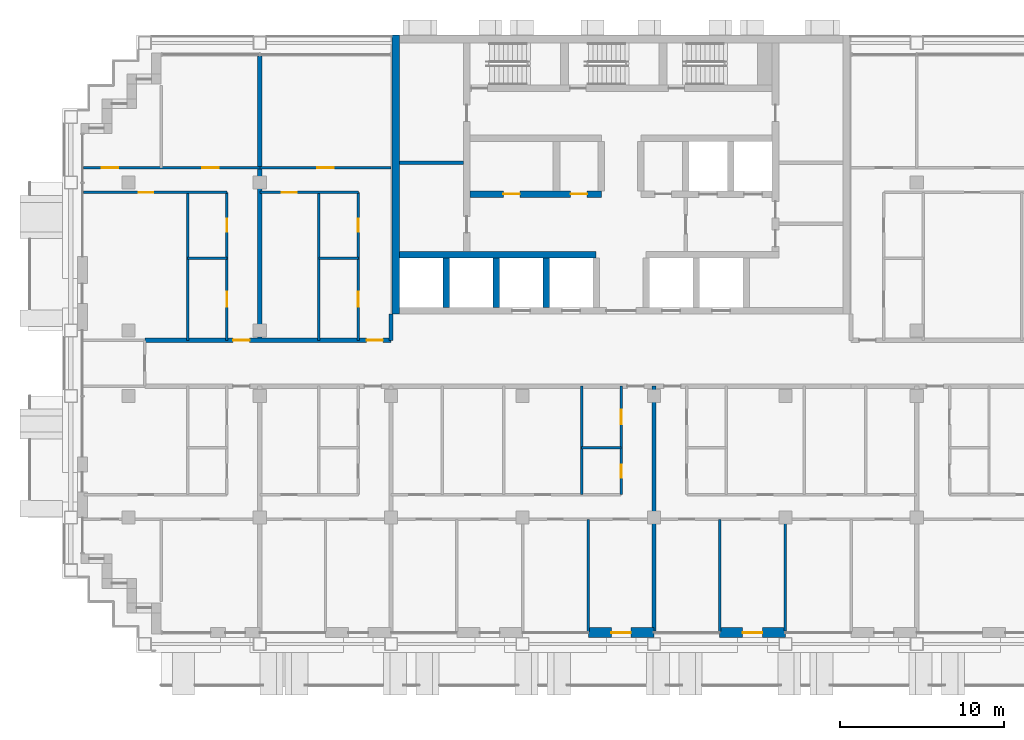
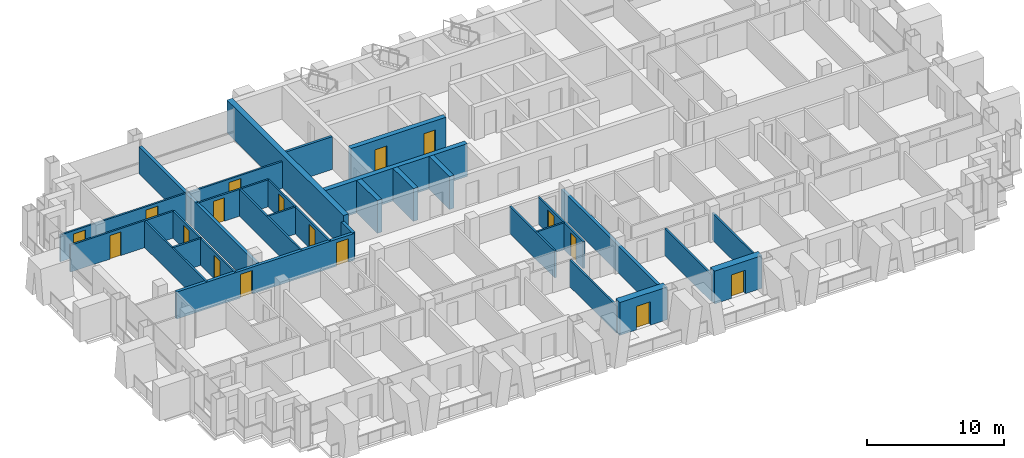
# One storey, part 9 of 18: 29 walls, 17 doors, 17 openings.
"""IFC4 building model written with IfcOpenShell, lengths in metres."""

import ifcopenshell
import ifcopenshell.guid

model = None  # the IFC model being written
_history = None  # IfcOwnerHistory: only IFC2X3 demands one
_inside = {}  # id of a spatial element -> (the spatial element, [elements in it])
_under = {}  # id of a project, library or spatial element -> (it, [spatial elements below it])
_declared = {}  # id of a project -> (the project, [libraries it declares])
_typed = {}  # id of a type object -> (the type object, [elements of that type])
_made_of = {}  # id of a material, layer set ... -> (it, [elements and type objects made of it])


def new_model(schema):
    """Start an empty IFC model of exactly this schema.

    Asked for "IFC4X3", IfcOpenShell would pick the latest addendum, in which some entities
    have other attributes; the version numbers below select the first issue.
    IFC2X3 requires an IfcOwnerHistory on every rooted entity: one is made here for all.
    """
    global model, _history
    if schema == "IFC4X3":
        model = ifcopenshell.file(schema_version=(4, 3, 0, 0))
    else:
        model = ifcopenshell.file(schema=schema)
    _inside.clear()
    _under.clear()
    _declared.clear()
    _typed.clear()
    _made_of.clear()
    _history = None
    if model.schema == "IFC2X3":
        org = make("IfcOrganization", Name="unknown")
        user = make(
            "IfcPersonAndOrganization",
            ThePerson=make("IfcPerson", FamilyName="unknown"),
            TheOrganization=org,
        )
        app = make(
            "IfcApplication",
            ApplicationDeveloper=org,
            Version="unknown",
            ApplicationFullName="unknown",
            ApplicationIdentifier="unknown",
        )
        _history = make(
            "IfcOwnerHistory",
            OwningUser=user,
            OwningApplication=app,
            ChangeAction="ADDED",
            CreationDate=0,
        )
    return model


def make(cls, **values):
    """One entity of the class cls with the attributes given. An attribute that is None is left unset."""
    return model.create_entity(
        cls, **{name: value for name, value in values.items() if value is not None}
    )


def rooted(cls, **values):
    """An entity with a GlobalId (a new one), such as an element, a storey or a relation."""
    return make(cls, GlobalId=ifcopenshell.guid.new(), OwnerHistory=_history, **values)


def si_unit(unit_type, name, prefix=None):
    """IfcSIUnit, for example si_unit("LENGTHUNIT", "METRE", prefix="MILLI")."""
    return make("IfcSIUnit", UnitType=unit_type, Prefix=prefix, Name=name)


def assignment(units):
    """IfcUnitAssignment: the units of a project."""
    return None if units is None else make("IfcUnitAssignment", Units=units)


def point(xyz):
    """IfcCartesianPoint."""
    return None if xyz is None else make("IfcCartesianPoint", Coordinates=xyz)


def direction(xyz):
    """IfcDirection."""
    return None if xyz is None else make("IfcDirection", DirectionRatios=xyz)


def frame(location, z_axis=None, x_axis=None):
    """IfcAxis2Placement3D, a coordinate frame: its origin and axes. An axis left out is left unset."""
    return make(
        "IfcAxis2Placement3D",
        Location=point(location),
        Axis=direction(z_axis),
        RefDirection=direction(x_axis),
    )


def frame_2d(location, x_axis=None):
    """IfcAxis2Placement2D, a coordinate frame in the plane: its origin and x axis."""
    return make(
        "IfcAxis2Placement2D", Location=point(location), RefDirection=direction(x_axis)
    )


def origin():
    """The frame at (0, 0, 0) with its axes left unset."""
    return frame((0.0, 0.0, 0.0))


def place(relative_to, where):
    """IfcLocalPlacement: puts the frame where relative to a parent placement (None: the world)."""
    return make(
        "IfcLocalPlacement", PlacementRelTo=relative_to, RelativePlacement=where
    )


def context(
    kind, dimensions, precision=None, world=None, true_north=None, identifier=None
):
    """IfcGeometricRepresentationContext, for example the 3D "Model" context."""
    return make(
        "IfcGeometricRepresentationContext",
        ContextIdentifier=identifier,
        ContextType=kind,
        CoordinateSpaceDimension=dimensions,
        Precision=precision,
        WorldCoordinateSystem=world,
        TrueNorth=true_north,
    )


def subcontext(parent, identifier, kind, view, scale=None):
    """IfcGeometricRepresentationSubContext, for example "Body" below "Model"."""
    return make(
        "IfcGeometricRepresentationSubContext",
        ContextIdentifier=identifier,
        ContextType=kind,
        ParentContext=parent,
        TargetScale=scale,
        TargetView=view,
    )


def project(units=None, contexts=None):
    """IfcProject with its units and contexts."""
    return rooted(
        "IfcProject",
        Name="project",
        RepresentationContexts=contexts,
        UnitsInContext=assignment(units),
    )


def spatial(cls, under=None, at=None, **own):
    """A site, building, storey or space (cls), placed at a placement, below another one or the project."""
    s = rooted(cls, ObjectPlacement=at, **own)
    if under is not None:
        _under.setdefault(under.id(), (under, []))[1].append(s)
    return s


def profile(cls, at=None, kind="AREA", **sizes):
    """A parametric profile (cls). Its sizes go by their IFC names, for example OverallWidth=200.0."""
    return make(cls, ProfileType=kind, Position=at, **sizes)


def rectangle(**sizes):
    """IfcRectangleProfileDef."""
    return profile("IfcRectangleProfileDef", **sizes)


def extrude(swept, where, along, depth):
    """IfcExtrudedAreaSolid: the profile swept, set in the frame where, extruded along a direction by depth."""
    return make(
        "IfcExtrudedAreaSolid",
        SweptArea=swept,
        Position=where,
        ExtrudedDirection=direction(along),
        Depth=depth,
    )


def shape(context_of_items, identifier, shape_type, items):
    """IfcShapeRepresentation: the items that make up one representation, for example the "Body"."""
    return make(
        "IfcShapeRepresentation",
        ContextOfItems=context_of_items,
        RepresentationIdentifier=identifier,
        RepresentationType=shape_type,
        Items=items,
    )


def material(Name=None, Category=None):
    """IfcMaterial."""
    return make("IfcMaterial", Name=Name, Category=Category)


def layer(
    of_material, thickness, ventilated=None, Name=None, Category=None, Priority=None
):
    """IfcMaterialLayer: one layer of a wall or slab, of a material (None: an air gap)."""
    return make(
        "IfcMaterialLayer",
        Material=of_material,
        LayerThickness=thickness,
        IsVentilated=ventilated,
        Name=Name,
        Category=Category,
        Priority=Priority,
    )


def layer_set(layers, Name=None):
    """IfcMaterialLayerSet."""
    return make("IfcMaterialLayerSet", MaterialLayers=layers, LayerSetName=Name)


def made_of(thing, what):
    """Note that an element or type object is made of a material, layer set ...; save() writes the relation."""
    if what is not None:
        _made_of.setdefault(what.id(), (what, []))[1].append(thing)
    return thing


def type_object(cls, material=None, **own):
    """A type object (cls), such as IfcWallType, which elements share."""
    return made_of(rooted(cls, **own), material)


def element(
    cls,
    number,
    at=None,
    inside=None,
    cuts=None,
    type_object=None,
    material=None,
    context=None,
    identifier="Body",
    shape_type=None,
    held_by="IfcProductDefinitionShape",
    body=None,
    shapes=None,
    **own,
):
    """One element of the class cls, such as IfcWall. Its Tag is "e" and its number.

    at: its placement. inside: the storey or other place that contains it. cuts: it is an
    opening in that element (IfcRelVoidsElement). A single representation is given by context,
    identifier, shape_type and body (its items); several are given by shapes. held_by: the class
    of the entity that holds the representations. save() writes the other relations.
    """
    e = rooted(cls, Tag="e%d" % number, ObjectPlacement=at, **own)
    if body is not None:
        shapes = [shape(context, identifier, shape_type, body)]
    if shapes is not None:
        e.Representation = make(held_by, Representations=shapes)
    if inside is not None:
        _inside.setdefault(inside.id(), (inside, []))[1].append(e)
    if cuts is not None:
        rooted(
            "IfcRelVoidsElement", RelatingBuildingElement=cuts, RelatedOpeningElement=e
        )
    if type_object is not None:
        _typed.setdefault(type_object.id(), (type_object, []))[1].append(e)
    return made_of(e, material)


def fill(opening, filler):
    """IfcRelFillsElement: the door or window that sits in an opening."""
    return rooted(
        "IfcRelFillsElement",
        RelatingOpeningElement=opening,
        RelatedBuildingElement=filler,
    )


def aggregate(whole, parts):
    """IfcRelAggregates: a whole, such as a stair, and the parts it consists of."""
    return rooted("IfcRelAggregates", RelatingObject=whole, RelatedObjects=parts)


def save(model, path):
    """Write the relations noted so far, then the file.

    IfcRelAggregates (storeys below a building ...), IfcRelContainedInSpatialStructure (elements
    in a storey), IfcRelDefinesByType, IfcRelAssociatesMaterial and IfcRelDeclares: one each for
    every whole, place, type object, material and project.
    """
    for whole, parts in _under.values():
        aggregate(whole, parts)
    for where, things in _inside.values():
        rooted(
            "IfcRelContainedInSpatialStructure",
            RelatedElements=things,
            RelatingStructure=where,
        )
    for kind, things in _typed.values():
        rooted("IfcRelDefinesByType", RelatedObjects=things, RelatingType=kind)
    for what, things in _made_of.values():
        rooted("IfcRelAssociatesMaterial", RelatedObjects=things, RelatingMaterial=what)
    for by, libraries in _declared.values():
        rooted("IfcRelDeclares", RelatingContext=by, RelatedDefinitions=libraries)
    model.write(path)


model = new_model("IFC4")

# Units and contexts
model_context = context("Model", 3, precision=1e-05, world=origin(), true_north=direction((0.0, 1.0)))
body_context = subcontext(model_context, "Body", "Model", "MODEL_VIEW")
ifc_project = project(units=[si_unit("LENGTHUNIT", "METRE"), si_unit("AREAUNIT", "SQUARE_METRE"), si_unit("VOLUMEUNIT", "CUBIC_METRE"), si_unit("PLANEANGLEUNIT", "RADIAN"), si_unit("MASSUNIT", "GRAM", prefix="KILO")], contexts=[model_context])

# Site, building, storey
site_placement = place(None, origin())
site = spatial("IfcSite", under=ifc_project, at=site_placement, CompositionType="ELEMENT")
building_placement = place(site_placement, origin())
building = spatial("IfcBuilding", under=site, at=building_placement, Name="Vidyagriha Tower", CompositionType="ELEMENT")
storey_placement = place(building_placement, frame((0.0, 0.0, 126.199951171875)))
storey = spatial("IfcBuildingStorey", under=building, at=storey_placement, Name="L32", CompositionType="ELEMENT", Elevation=126.199951171875)

# Wall, opening, door
ifc_material_1 = material(Name="Precast concrete C40/50 with brick facing", Category="concrete")
ifc_layer_1 = layer(ifc_material_1, 0.60009765625)
ifc_layer_set_1 = layer_set([ifc_layer_1], Name="Precast concrete C40/50 with brick facing")
wall_type_1 = type_object("IfcWallType", Name="Brick-faced precast wall 600", PredefinedType="STANDARD", material=ifc_layer_set_1)
wall_1_placement = place(storey_placement, frame((-2.0, -16.39990234375, 0.0)))
wall_1 = element("IfcWall", 1, at=wall_1_placement, inside=storey, type_object=wall_type_1, Name="Brick door bay wall L32 R23.8", PredefinedType="STANDARD", context=body_context, shape_type="SweptSolid", body=[
    extrude(rectangle(XDim=4.0, YDim=0.60009765625, at=frame_2d((2.0, 0.0))), origin(), (0.0, 0.0, 1.0), 2.920166015625),
])
opening_1_placement = place(wall_1_placement, frame((1.39990234375, 0.0, 0.0)))
opening_1 = element("IfcOpeningElement", 2, at=opening_1_placement, cuts=wall_1, Name="Opening D32-80", PredefinedType="OPENING", context=body_context, shape_type="SweptSolid", body=[
    extrude(rectangle(XDim=1.199951171875, YDim=2.10009765625, at=frame_2d((0.60009765625, 1.050048828125))), frame((0.0, 0.31005859375, 0.0), z_axis=(0.0, -1.0, 0.0), x_axis=(1.0, 0.0, 0.0)), (0.0, 0.0, 1.0), 0.6201171875),
])
ifc_material_2 = material(Name="Aluminium framed glazed sliding door", Category="aluminium")
door_type_1 = type_object("IfcDoorType", Name="Balcony sliding door 1200x2100", OperationType="NOTDEFINED", PredefinedType="DOOR", material=ifc_material_2)
door_1_placement = place(opening_1_placement, origin())
door_1 = element("IfcDoor", 3, at=door_1_placement, inside=storey, type_object=door_type_1, Name="Door D32-80", OperationType="SLIDING_TO_LEFT", OverallHeight=2.10009765625, OverallWidth=1.199951171875, PredefinedType="DOOR", context=body_context, shape_type="SweptSolid", body=[
    extrude(rectangle(XDim=1.199951171875, YDim=2.10009765625, at=frame_2d((0.60009765625, 1.050048828125))), frame((0.0, 0.02490234375, 0.0), z_axis=(0.0, -1.0, 0.0), x_axis=(1.0, 0.0, 0.0)), (0.0, 0.0, 1.0), 0.050048828125),
])
fill(opening_1, door_1)

wall_2_placement = place(storey_placement, frame((6.0, -16.39990234375, 0.0)))
wall_2 = element("IfcWall", 4, at=wall_2_placement, inside=storey, type_object=wall_type_1, Name="Brick door bay wall L32 R23.10", PredefinedType="STANDARD", context=body_context, shape_type="SweptSolid", body=[
    extrude(rectangle(XDim=4.0, YDim=0.60009765625, at=frame_2d((2.0, 0.0))), origin(), (0.0, 0.0, 1.0), 2.920166015625),
])
opening_2_placement = place(wall_2_placement, frame((1.39990234375, 0.0, 0.0)))
opening_2 = element("IfcOpeningElement", 5, at=opening_2_placement, cuts=wall_2, Name="Opening D32-81", PredefinedType="OPENING", context=body_context, shape_type="SweptSolid", body=[
    extrude(rectangle(XDim=1.199951171875, YDim=2.10009765625, at=frame_2d((0.60009765625, 1.050048828125))), frame((0.0, 0.31005859375, 0.0), z_axis=(0.0, -1.0, 0.0), x_axis=(1.0, 0.0, 0.0)), (0.0, 0.0, 1.0), 0.6201171875),
])
door_2_placement = place(opening_2_placement, origin())
door_2 = element("IfcDoor", 6, at=door_2_placement, inside=storey, type_object=door_type_1, Name="Door D32-81", OperationType="SLIDING_TO_LEFT", OverallHeight=2.10009765625, OverallWidth=1.199951171875, PredefinedType="DOOR", context=body_context, shape_type="SweptSolid", body=[
    extrude(rectangle(XDim=1.199951171875, YDim=2.10009765625, at=frame_2d((0.60009765625, 1.050048828125))), frame((0.0, 0.02490234375, 0.0), z_axis=(0.0, -1.0, 0.0), x_axis=(1.0, 0.0, 0.0)), (0.0, 0.0, 1.0), 0.050048828125),
])
fill(opening_2, door_2)

# Walls
ifc_material_3 = material(Name="Concrete C60/75", Category="concrete")
ifc_layer_2 = layer(ifc_material_3, 0.39990234375)
ifc_layer_set_2 = layer_set([ifc_layer_2], Name="Concrete C60/75")
wall_type_2 = type_object("IfcWallType", Name="Core shear wall 400 mm", PredefinedType="SHEAR", material=ifc_layer_set_2)
wall_3_placement = place(storey_placement, frame((-13.5, 6.60009765625, 0.0)))
element("IfcWall", 7, at=wall_3_placement, inside=storey, type_object=wall_type_2, Name="Core lobby south wall west", PredefinedType="SHEAR", context=body_context, shape_type="SweptSolid", body=[
    extrude(rectangle(XDim=11.977783203125, YDim=0.39990234375, at=frame_2d((5.98876953125, 0.0))), origin(), (0.0, 0.0, 1.0), 2.920166015625),
])
for number, where, z_axis, x_axis, name in (
    (8, (-10.655517578125, 3.39990234375, 0.0), (0.0, 0.0, 1.0), (0.0, 1.0, 0.0), "Core bay wall S1"),
    (9, (-7.611083984375, 3.39990234375, 0.0), (0.0, 0.0, 1.0), (0.0, 1.0, 0.0), "Core bay wall S2"),
    (10, (-4.566650390625, 3.39990234375, 0.0), (0.0, 0.0, 1.0), (0.0, 1.0, 0.0), "Core bay wall S3"),
):
    element("IfcWall", number, at=place(storey_placement, frame(where, z_axis=z_axis, x_axis=x_axis)), inside=storey, type_object=wall_type_2, Name=name, PredefinedType="SHEAR", context=body_context, shape_type="SweptSolid", body=[
        extrude(rectangle(XDim=3.0, YDim=0.39990234375, at=frame_2d((1.5, 0.0))), origin(), (0.0, 0.0, 1.0), 2.920166015625),
    ])

# Wall, openings, doors
wall_4_placement = place(storey_placement, frame((-9.199951171875, 10.300048828125, 0.0)))
wall_4 = element("IfcWall", 11, at=wall_4_placement, inside=storey, type_object=wall_type_2, Name="Core row N front wall", PredefinedType="SHEAR", context=body_context, shape_type="SweptSolid", body=[
    extrude(rectangle(XDim=8.0, YDim=0.39990234375, at=frame_2d((4.0, 0.0))), origin(), (0.0, 0.0, 1.0), 2.920166015625),
])
opening_3_placement = place(wall_4_placement, frame((2.033203125, 0.0, 0.0)))
opening_3 = element("IfcOpeningElement", 12, at=opening_3_placement, cuts=wall_4, Name="Opening D32-02", PredefinedType="OPENING", context=body_context, shape_type="SweptSolid", body=[
    extrude(rectangle(XDim=1.0, YDim=2.10009765625, at=frame_2d((0.5, 1.050048828125))), frame((0.0, 0.2099609375, 0.0), z_axis=(0.0, -1.0, 0.0), x_axis=(1.0, 0.0, 0.0)), (0.0, 0.0, 1.0), 0.419921875),
])
opening_4_placement = place(wall_4_placement, frame((6.13330078125, 0.0, 0.0)))
opening_4 = element("IfcOpeningElement", 13, at=opening_4_placement, cuts=wall_4, Name="Opening D32-03", PredefinedType="OPENING", context=body_context, shape_type="SweptSolid", body=[
    extrude(rectangle(XDim=1.0, YDim=2.10009765625, at=frame_2d((0.5, 1.050048828125))), frame((0.0, 0.2099609375, 0.0), z_axis=(0.0, -1.0, 0.0), x_axis=(1.0, 0.0, 0.0)), (0.0, 0.0, 1.0), 0.419921875),
])
ifc_material_4 = material(Name="Hollow metal door leaf")
door_type_2 = type_object("IfcDoorType", Name="Core room door 1000 x 2100 mm EI 60", OperationType="NOTDEFINED", PredefinedType="DOOR", material=ifc_material_4)
door_3_placement = place(opening_3_placement, frame((1.0, 0.0, 0.0), z_axis=(0.0, 0.0, 1.0), x_axis=(-1.0, 0.0, 0.0)))
door_3 = element("IfcDoor", 14, at=door_3_placement, inside=storey, type_object=door_type_2, Name="Door Riser Room 32.14", OperationType="SINGLE_SWING_RIGHT", OverallHeight=2.10009765625, OverallWidth=1.0, PredefinedType="DOOR", context=body_context, shape_type="SweptSolid", body=[
    extrude(rectangle(XDim=1.0, YDim=2.10009765625, at=frame_2d((0.5, 1.050048828125))), frame((0.0, 0.02490234375, 0.0), z_axis=(0.0, -1.0, 0.0), x_axis=(1.0, 0.0, 0.0)), (0.0, 0.0, 1.0), 0.050048828125),
])
fill(opening_3, door_3)
door_4_placement = place(opening_4_placement, frame((1.0, 0.0, 0.0), z_axis=(0.0, 0.0, 1.0), x_axis=(-1.0, 0.0, 0.0)))
door_4 = element("IfcDoor", 15, at=door_4_placement, inside=storey, type_object=door_type_2, Name="Door Mechanical Riser Room 32.15", OperationType="SINGLE_SWING_LEFT", OverallHeight=2.10009765625, OverallWidth=1.0, PredefinedType="DOOR", context=body_context, shape_type="SweptSolid", body=[
    extrude(rectangle(XDim=1.0, YDim=2.10009765625, at=frame_2d((0.5, 1.050048828125))), frame((0.0, 0.02490234375, 0.0), z_axis=(0.0, -1.0, 0.0), x_axis=(1.0, 0.0, 0.0)), (0.0, 0.0, 1.0), 0.050048828125),
])
fill(opening_4, door_4)

# Wall
ifc_material_5 = material(Name="Concrete C60/75", Category="concrete")
ifc_layer_3 = layer(ifc_material_5, 0.449951171875)
ifc_layer_set_3 = layer_set([ifc_layer_3], Name="Concrete C60/75")
wall_type_3 = type_object("IfcWallType", Name="Core shear wall 450 mm", PredefinedType="SHEAR", material=ifc_layer_set_3)
wall_5_placement = place(storey_placement, frame((-13.72509765625, 3.0, 0.0), z_axis=(0.0, 0.0, 1.0), x_axis=(0.0, 1.0, 0.0)))
element("IfcWall", 16, at=wall_5_placement, inside=storey, type_object=wall_type_3, Name="Core west wall", PredefinedType="SHEAR", context=body_context, shape_type="SweptSolid", body=[
    extrude(rectangle(XDim=17.0, YDim=0.449951171875, at=frame_2d((8.5, 0.0))), origin(), (0.0, 0.0, 1.0), 2.920166015625),
])

# Wall, openings, doors
ifc_material_6 = material(Name="Fired clay brick masonry", Category="masonry")
ifc_layer_4 = layer(ifc_material_6, 0.25)
ifc_layer_set_4 = layer_set([ifc_layer_4], Name="Fired clay brick masonry")
wall_type_4 = type_object("IfcWallType", Name="Fired clay brick corridor wall 250", PredefinedType="PARTITIONING", material=ifc_layer_set_4)
wall_6_placement = place(storey_placement, frame((-29.0, 1.39990234375, 0.0)))
wall_6 = element("IfcWall", 17, at=wall_6_placement, inside=storey, type_object=wall_type_4, Name="Wall all-L32-w110", PredefinedType="PARTITIONING", context=body_context, shape_type="SweptSolid", body=[
    extrude(rectangle(XDim=15.0, YDim=0.25, at=frame_2d((7.5, 0.0))), origin(), (0.0, 0.0, 1.0), 2.400146484375),
])
opening_5_placement = place(wall_6_placement, frame((5.382080078125, 0.0, 0.0)))
opening_5 = element("IfcOpeningElement", 18, at=opening_5_placement, cuts=wall_6, Name="Opening D32-58", PredefinedType="OPENING", context=body_context, shape_type="SweptSolid", body=[
    extrude(rectangle(XDim=1.0, YDim=2.10009765625, at=frame_2d((0.5, 1.050048828125))), frame((0.0, 0.135009765625, 0.0), z_axis=(0.0, -1.0, 0.0), x_axis=(1.0, 0.0, 0.0)), (0.0, 0.0, 1.0), 0.27001953125),
])
opening_6_placement = place(wall_6_placement, frame((13.5, 0.0, 0.0)))
opening_6 = element("IfcOpeningElement", 19, at=opening_6_placement, cuts=wall_6, Name="Opening D32-63", PredefinedType="OPENING", context=body_context, shape_type="SweptSolid", body=[
    extrude(rectangle(XDim=1.0, YDim=2.10009765625, at=frame_2d((0.5, 1.050048828125))), frame((0.0, 0.135009765625, 0.0), z_axis=(0.0, -1.0, 0.0), x_axis=(1.0, 0.0, 0.0)), (0.0, 0.0, 1.0), 0.27001953125),
])
ifc_material_7 = material(Name="Fire-rated timber door leaf EI 60", Category="wood")
door_type_3 = type_object("IfcDoorType", Name="Flat entrance fire door 1000x2100", OperationType="NOTDEFINED", PredefinedType="DOOR", material=ifc_material_7)
door_5_placement = place(opening_5_placement, origin())
door_5 = element("IfcDoor", 20, at=door_5_placement, inside=storey, type_object=door_type_3, Name="Door D32-58", OperationType="SINGLE_SWING_RIGHT", OverallHeight=2.10009765625, OverallWidth=1.0, PredefinedType="DOOR", context=body_context, shape_type="SweptSolid", body=[
    extrude(rectangle(XDim=1.0, YDim=2.10009765625, at=frame_2d((0.5, 1.050048828125))), frame((0.0, 0.02490234375, 0.0), z_axis=(0.0, -1.0, 0.0), x_axis=(1.0, 0.0, 0.0)), (0.0, 0.0, 1.0), 0.050048828125),
])
fill(opening_5, door_5)
door_6_placement = place(opening_6_placement, origin())
door_6 = element("IfcDoor", 21, at=door_6_placement, inside=storey, type_object=door_type_3, Name="Door D32-63", OperationType="SINGLE_SWING_RIGHT", OverallHeight=2.10009765625, OverallWidth=1.0, PredefinedType="DOOR", context=body_context, shape_type="SweptSolid", body=[
    extrude(rectangle(XDim=1.0, YDim=2.10009765625, at=frame_2d((0.5, 1.050048828125))), frame((0.0, 0.02490234375, 0.0), z_axis=(0.0, -1.0, 0.0), x_axis=(1.0, 0.0, 0.0)), (0.0, 0.0, 1.0), 0.050048828125),
])
fill(opening_6, door_6)

# Walls
wall_7_placement = place(storey_placement, frame((-14.0, 3.0, 0.0), z_axis=(0.0, 0.0, 1.0), x_axis=(0.0, -1.0, 0.0)))
element("IfcWall", 22, at=wall_7_placement, inside=storey, type_object=wall_type_4, Name="Wall all-L32-w137", PredefinedType="PARTITIONING", context=body_context, shape_type="SweptSolid", body=[
    extrude(rectangle(XDim=1.60009765625, YDim=0.25, at=frame_2d((0.800048828125, 0.0))), origin(), (0.0, 0.0, 1.0), 2.400146484375),
])
ifc_material_8 = material(Name="Fired clay brick masonry", Category="masonry")
ifc_layer_5 = layer(ifc_material_8, 0.25)
ifc_layer_set_5 = layer_set([ifc_layer_5], Name="Fired clay brick masonry")
wall_type_5 = type_object("IfcWallType", Name="Fired clay brick demising wall 250", PredefinedType="PARTITIONING", material=ifc_layer_set_5)
wall_8_placement = place(storey_placement, frame((2.0, -1.39990234375, 0.0), z_axis=(0.0, 0.0, 1.0), x_axis=(0.0, -1.0, 0.0)))
element("IfcWall", 23, at=wall_8_placement, inside=storey, type_object=wall_type_5, Name="Wall all-L32-w067", PredefinedType="PARTITIONING", context=body_context, shape_type="SweptSolid", body=[
    extrude(rectangle(XDim=14.91015625, YDim=0.25, at=frame_2d((7.455078125, 0.0))), origin(), (0.0, 0.0, 1.0), 2.400146484375),
])
wall_9_placement = place(storey_placement, frame((-22.0, 18.720947265625, 0.0), z_axis=(0.0, 0.0, 1.0), x_axis=(0.0, -1.0, 0.0)))
element("IfcWall", 24, at=wall_9_placement, inside=storey, type_object=wall_type_5, Name="Wall all-L32-w109", PredefinedType="PARTITIONING", context=body_context, shape_type="SweptSolid", body=[
    extrude(rectangle(XDim=17.321044921875, YDim=0.25, at=frame_2d((8.66064453125, 0.0))), origin(), (0.0, 0.0, 1.0), 2.400146484375),
])
ifc_material_9 = material(Name="Gypsum board partition")
ifc_layer_6 = layer(ifc_material_9, 0.14990234375)
ifc_layer_set_6 = layer_set([ifc_layer_6], Name="Gypsum board partition")
wall_type_6 = type_object("IfcWallType", Name="Gypsum board partition 150", PredefinedType="PARTITIONING", material=ifc_layer_set_6)
wall_10_placement = place(storey_placement, frame((0.0, -5.14990234375, 0.0), z_axis=(0.0, 0.0, 1.0), x_axis=(-1.0, 0.0, 0.0)))
element("IfcWall", 25, at=wall_10_placement, inside=storey, type_object=wall_type_6, Name="Wall all-L32-w029", PredefinedType="PARTITIONING", context=body_context, shape_type="SweptSolid", body=[
    extrude(rectangle(XDim=2.39990234375, YDim=0.14990234375, at=frame_2d((1.199951171875, 0.0))), origin(), (0.0, 0.0, 1.0), 2.400146484375),
])
wall_11_placement = place(storey_placement, frame((-2.39990234375, -8.0, 0.0), z_axis=(0.0, 0.0, 1.0), x_axis=(0.0, 1.0, 0.0)))
element("IfcWall", 26, at=wall_11_placement, inside=storey, type_object=wall_type_6, Name="Wall all-L32-w030", PredefinedType="PARTITIONING", context=body_context, shape_type="SweptSolid", body=[
    extrude(rectangle(XDim=6.60009765625, YDim=0.14990234375, at=frame_2d((3.300048828125, 0.0))), origin(), (0.0, 0.0, 1.0), 2.400146484375),
])
for number, where, z_axis, x_axis, name in (
    (27, (-2.0, -9.5, 0.0), (0.0, 0.0, 1.0), (0.0, -1.0, 0.0), "Wall all-L32-w044"),
    (28, (6.0, -9.5, 0.0), (0.0, 0.0, 1.0), (0.0, -1.0, 0.0), "Wall all-L32-w063"),
):
    element("IfcWall", number, at=place(storey_placement, frame(where, z_axis=z_axis, x_axis=x_axis)), inside=storey, type_object=wall_type_6, Name=name, PredefinedType="PARTITIONING", context=body_context, shape_type="SweptSolid", body=[
        extrude(rectangle(XDim=6.821044921875, YDim=0.14990234375, at=frame_2d((3.41064453125, 0.0))), origin(), (0.0, 0.0, 1.0), 2.400146484375),
    ])
wall_12_placement = place(storey_placement, frame((10.0, -9.5, 0.0), z_axis=(0.0, 0.0, 1.0), x_axis=(0.0, -1.0, 0.0)))
element("IfcWall", 29, at=wall_12_placement, inside=storey, type_object=wall_type_6, Name="Wall all-L32-w064", PredefinedType="PARTITIONING", context=body_context, shape_type="SweptSolid", body=[
    extrude(rectangle(XDim=6.81005859375, YDim=0.14990234375, at=frame_2d((3.405029296875, 0.0))), origin(), (0.0, 0.0, 1.0), 2.400146484375),
])
wall_13_placement = place(storey_placement, frame((-26.39990234375, 6.39990234375, 0.0)))
element("IfcWall", 30, at=wall_13_placement, inside=storey, type_object=wall_type_6, Name="Wall all-L32-w090", PredefinedType="PARTITIONING", context=body_context, shape_type="SweptSolid", body=[
    extrude(rectangle(XDim=2.39990234375, YDim=0.14990234375, at=frame_2d((1.199951171875, 0.0))), origin(), (0.0, 0.0, 1.0), 2.400146484375),
])
wall_14_placement = place(storey_placement, frame((-26.39990234375, 1.39990234375, 0.0), z_axis=(0.0, 0.0, 1.0), x_axis=(0.0, 1.0, 0.0)))
element("IfcWall", 31, at=wall_14_placement, inside=storey, type_object=wall_type_6, Name="Wall all-L32-w091", PredefinedType="PARTITIONING", context=body_context, shape_type="SweptSolid", body=[
    extrude(rectangle(XDim=9.0, YDim=0.14990234375, at=frame_2d((4.5, 0.0))), origin(), (0.0, 0.0, 1.0), 2.400146484375),
])

# Wall, opening, door
wall_15_placement = place(storey_placement, frame((-24.0, 10.39990234375, 0.0), z_axis=(0.0, 0.0, 1.0), x_axis=(-1.0, 0.0, 0.0)))
wall_15 = element("IfcWall", 32, at=wall_15_placement, inside=storey, type_object=wall_type_6, Name="Wall all-L32-w092", PredefinedType="PARTITIONING", context=body_context, shape_type="SweptSolid", body=[
    extrude(rectangle(XDim=8.719970703125, YDim=0.14990234375, at=frame_2d((4.35986328125, 0.0))), origin(), (0.0, 0.0, 1.0), 2.400146484375),
])
opening_7_placement = place(wall_15_placement, frame((4.48193359375, 0.0, 0.0)))
opening_7 = element("IfcOpeningElement", 33, at=opening_7_placement, cuts=wall_15, Name="Opening D32-55", PredefinedType="OPENING", context=body_context, shape_type="SweptSolid", body=[
    extrude(rectangle(XDim=0.89990234375, YDim=2.10009765625, at=frame_2d((0.449951171875, 1.050048828125))), frame((0.0, 0.0849609375, 0.0), z_axis=(0.0, -1.0, 0.0), x_axis=(1.0, 0.0, 0.0)), (0.0, 0.0, 1.0), 0.169921875),
])
ifc_material_10 = material(Name="Timber door leaf", Category="wood")
door_type_4 = type_object("IfcDoorType", Name="Room door 900x2100", OperationType="NOTDEFINED", PredefinedType="DOOR", material=ifc_material_10)
door_7_placement = place(opening_7_placement, origin())
door_7 = element("IfcDoor", 34, at=door_7_placement, inside=storey, type_object=door_type_4, Name="Door D32-55", OperationType="SINGLE_SWING_LEFT", OverallHeight=2.10009765625, OverallWidth=0.89990234375, PredefinedType="DOOR", context=body_context, shape_type="SweptSolid", body=[
    extrude(rectangle(XDim=0.89990234375, YDim=2.10009765625, at=frame_2d((0.449951171875, 1.050048828125))), frame((0.0, 0.02490234375, 0.0), z_axis=(0.0, -1.0, 0.0), x_axis=(1.0, 0.0, 0.0)), (0.0, 0.0, 1.0), 0.050048828125),
])
fill(opening_7, door_7)

# Wall, openings, doors
wall_16_placement = place(storey_placement, frame((-32.719970703125, 11.89990234375, 0.0)))
wall_16 = element("IfcWall", 35, at=wall_16_placement, inside=storey, type_object=wall_type_6, Name="Wall all-L32-w094", PredefinedType="PARTITIONING", context=body_context, shape_type="SweptSolid", body=[
    extrude(rectangle(XDim=10.719970703125, YDim=0.14990234375, at=frame_2d((5.35986328125, 0.0))), origin(), (0.0, 0.0, 1.0), 2.400146484375),
])
opening_8_placement = place(wall_16_placement, frame((1.10205078125, 0.0, 0.0)))
opening_8 = element("IfcOpeningElement", 36, at=opening_8_placement, cuts=wall_16, Name="Opening D32-56", PredefinedType="OPENING", context=body_context, shape_type="SweptSolid", body=[
    extrude(rectangle(XDim=1.0, YDim=2.10009765625, at=frame_2d((0.5, 1.050048828125))), frame((0.0, 0.0849609375, 0.0), z_axis=(0.0, -1.0, 0.0), x_axis=(1.0, 0.0, 0.0)), (0.0, 0.0, 1.0), 0.169921875),
])
opening_9_placement = place(wall_16_placement, frame((7.219970703125, 0.0, 0.0)))
opening_9 = element("IfcOpeningElement", 37, at=opening_9_placement, cuts=wall_16, Name="Opening D32-57", PredefinedType="OPENING", context=body_context, shape_type="SweptSolid", body=[
    extrude(rectangle(XDim=1.0, YDim=2.10009765625, at=frame_2d((0.5, 1.050048828125))), frame((0.0, 0.0849609375, 0.0), z_axis=(0.0, -1.0, 0.0), x_axis=(1.0, 0.0, 0.0)), (0.0, 0.0, 1.0), 0.169921875),
])
ifc_material_11 = material(Name="Timber door leaf", Category="wood")
door_type_5 = type_object("IfcDoorType", Name="Room door 1000x2100", OperationType="NOTDEFINED", PredefinedType="DOOR", material=ifc_material_11)
door_8_placement = place(opening_8_placement, origin())
door_8 = element("IfcDoor", 38, at=door_8_placement, inside=storey, type_object=door_type_5, Name="Door D32-56", OperationType="SINGLE_SWING_LEFT", OverallHeight=2.10009765625, OverallWidth=1.0, PredefinedType="DOOR", context=body_context, shape_type="SweptSolid", body=[
    extrude(rectangle(XDim=1.0, YDim=2.10009765625, at=frame_2d((0.5, 1.050048828125))), frame((0.0, 0.02490234375, 0.0), z_axis=(0.0, -1.0, 0.0), x_axis=(1.0, 0.0, 0.0)), (0.0, 0.0, 1.0), 0.050048828125),
])
fill(opening_8, door_8)
door_9_placement = place(opening_9_placement, origin())
door_9 = element("IfcDoor", 39, at=door_9_placement, inside=storey, type_object=door_type_5, Name="Door D32-57", OperationType="SINGLE_SWING_RIGHT", OverallHeight=2.10009765625, OverallWidth=1.0, PredefinedType="DOOR", context=body_context, shape_type="SweptSolid", body=[
    extrude(rectangle(XDim=1.0, YDim=2.10009765625, at=frame_2d((0.5, 1.050048828125))), frame((0.0, 0.02490234375, 0.0), z_axis=(0.0, -1.0, 0.0), x_axis=(1.0, 0.0, 0.0)), (0.0, 0.0, 1.0), 0.050048828125),
])
fill(opening_9, door_9)

# Walls
wall_17_placement = place(storey_placement, frame((-18.39990234375, 6.39990234375, 0.0)))
element("IfcWall", 40, at=wall_17_placement, inside=storey, type_object=wall_type_6, Name="Wall all-L32-w102", PredefinedType="PARTITIONING", context=body_context, shape_type="SweptSolid", body=[
    extrude(rectangle(XDim=2.39990234375, YDim=0.14990234375, at=frame_2d((1.199951171875, 0.0))), origin(), (0.0, 0.0, 1.0), 2.400146484375),
])
wall_18_placement = place(storey_placement, frame((-18.39990234375, 1.39990234375, 0.0), z_axis=(0.0, 0.0, 1.0), x_axis=(0.0, 1.0, 0.0)))
element("IfcWall", 41, at=wall_18_placement, inside=storey, type_object=wall_type_6, Name="Wall all-L32-w103", PredefinedType="PARTITIONING", context=body_context, shape_type="SweptSolid", body=[
    extrude(rectangle(XDim=9.0, YDim=0.14990234375, at=frame_2d((4.5, 0.0))), origin(), (0.0, 0.0, 1.0), 2.400146484375),
])

# Wall, opening, door
wall_19_placement = place(storey_placement, frame((-16.0, 10.39990234375, 0.0), z_axis=(0.0, 0.0, 1.0), x_axis=(-1.0, 0.0, 0.0)))
wall_19 = element("IfcWall", 42, at=wall_19_placement, inside=storey, type_object=wall_type_6, Name="Wall all-L32-w104", PredefinedType="PARTITIONING", context=body_context, shape_type="SweptSolid", body=[
    extrude(rectangle(XDim=6.0, YDim=0.14990234375, at=frame_2d((3.0, 0.0))), origin(), (0.0, 0.0, 1.0), 2.400146484375),
])
opening_10_placement = place(wall_19_placement, frame((3.75, 0.0, 0.0)))
opening_10 = element("IfcOpeningElement", 43, at=opening_10_placement, cuts=wall_19, Name="Opening D32-61", PredefinedType="OPENING", context=body_context, shape_type="SweptSolid", body=[
    extrude(rectangle(XDim=0.89990234375, YDim=2.10009765625, at=frame_2d((0.449951171875, 1.050048828125))), frame((0.0, 0.0849609375, 0.0), z_axis=(0.0, -1.0, 0.0), x_axis=(1.0, 0.0, 0.0)), (0.0, 0.0, 1.0), 0.169921875),
])
door_10_placement = place(opening_10_placement, origin())
door_10 = element("IfcDoor", 44, at=door_10_placement, inside=storey, type_object=door_type_4, Name="Door D32-61", OperationType="SINGLE_SWING_RIGHT", OverallHeight=2.10009765625, OverallWidth=0.89990234375, PredefinedType="DOOR", context=body_context, shape_type="SweptSolid", body=[
    extrude(rectangle(XDim=0.89990234375, YDim=2.10009765625, at=frame_2d((0.449951171875, 1.050048828125))), frame((0.0, 0.02490234375, 0.0), z_axis=(0.0, -1.0, 0.0), x_axis=(1.0, 0.0, 0.0)), (0.0, 0.0, 1.0), 0.050048828125),
])
fill(opening_10, door_10)

wall_20_placement = place(storey_placement, frame((-22.0, 11.89990234375, 0.0)))
wall_20 = element("IfcWall", 45, at=wall_20_placement, inside=storey, type_object=wall_type_6, Name="Wall all-L32-w106", PredefinedType="PARTITIONING", context=body_context, shape_type="SweptSolid", body=[
    extrude(rectangle(XDim=8.0, YDim=0.14990234375, at=frame_2d((4.0, 0.0))), origin(), (0.0, 0.0, 1.0), 2.400146484375),
])
opening_11_placement = place(wall_20_placement, frame((3.5, 0.0, 0.0)))
opening_11 = element("IfcOpeningElement", 46, at=opening_11_placement, cuts=wall_20, Name="Opening D32-62", PredefinedType="OPENING", context=body_context, shape_type="SweptSolid", body=[
    extrude(rectangle(XDim=1.0, YDim=2.10009765625, at=frame_2d((0.5, 1.050048828125))), frame((0.0, 0.0849609375, 0.0), z_axis=(0.0, -1.0, 0.0), x_axis=(1.0, 0.0, 0.0)), (0.0, 0.0, 1.0), 0.169921875),
])
door_11_placement = place(opening_11_placement, origin())
door_11 = element("IfcDoor", 47, at=door_11_placement, inside=storey, type_object=door_type_5, Name="Door D32-62", OperationType="SINGLE_SWING_RIGHT", OverallHeight=2.10009765625, OverallWidth=1.0, PredefinedType="DOOR", context=body_context, shape_type="SweptSolid", body=[
    extrude(rectangle(XDim=1.0, YDim=2.10009765625, at=frame_2d((0.5, 1.050048828125))), frame((0.0, 0.02490234375, 0.0), z_axis=(0.0, -1.0, 0.0), x_axis=(1.0, 0.0, 0.0)), (0.0, 0.0, 1.0), 0.050048828125),
])
fill(opening_11, door_11)

# Wall, openings, doors
ifc_material_12 = material(Name="Moisture resistant gypsum board partition")
ifc_layer_7 = layer(ifc_material_12, 0.14990234375)
ifc_layer_set_7 = layer_set([ifc_layer_7], Name="Moisture resistant gypsum board partition")
wall_type_7 = type_object("IfcWallType", Name="Gypsum board wet-area partition 150", PredefinedType="PARTITIONING", material=ifc_layer_set_7)
wall_21_placement = place(storey_placement, frame((0.0, -8.0, 0.0), z_axis=(0.0, 0.0, 1.0), x_axis=(0.0, 1.0, 0.0)))
wall_21 = element("IfcWall", 48, at=wall_21_placement, inside=storey, type_object=wall_type_7, Name="Wall all-L32-w026", PredefinedType="PARTITIONING", context=body_context, shape_type="SweptSolid", body=[
    extrude(rectangle(XDim=6.60009765625, YDim=0.14990234375, at=frame_2d((3.300048828125, 0.0))), origin(), (0.0, 0.0, 1.0), 2.400146484375),
])
opening_12_placement = place(wall_21_placement, frame((4.27490234375, 0.0, 0.0)))
opening_12 = element("IfcOpeningElement", 49, at=opening_12_placement, cuts=wall_21, Name="Opening D32-26", PredefinedType="OPENING", context=body_context, shape_type="SweptSolid", body=[
    extrude(rectangle(XDim=0.89990234375, YDim=2.10009765625, at=frame_2d((0.449951171875, 1.050048828125))), frame((0.0, 0.0849609375, 0.0), z_axis=(0.0, -1.0, 0.0), x_axis=(1.0, 0.0, 0.0)), (0.0, 0.0, 1.0), 0.169921875),
])
opening_13_placement = place(wall_21_placement, frame((1.02490234375, 0.0, 0.0)))
opening_13 = element("IfcOpeningElement", 50, at=opening_13_placement, cuts=wall_21, Name="Opening D32-27", PredefinedType="OPENING", context=body_context, shape_type="SweptSolid", body=[
    extrude(rectangle(XDim=0.800048828125, YDim=2.10009765625, at=frame_2d((0.39990234375, 1.050048828125))), frame((0.0, 0.0849609375, 0.0), z_axis=(0.0, -1.0, 0.0), x_axis=(1.0, 0.0, 0.0)), (0.0, 0.0, 1.0), 0.169921875),
])
ifc_material_13 = material(Name="Timber door leaf", Category="wood")
door_type_6 = type_object("IfcDoorType", Name="Bathroom door 800x2100", OperationType="NOTDEFINED", PredefinedType="DOOR", material=ifc_material_13)
door_12_placement = place(opening_13_placement, origin())
door_12 = element("IfcDoor", 51, at=door_12_placement, inside=storey, type_object=door_type_6, Name="Door D32-27", OperationType="SINGLE_SWING_RIGHT", OverallHeight=2.10009765625, OverallWidth=0.800048828125, PredefinedType="DOOR", context=body_context, shape_type="SweptSolid", body=[
    extrude(rectangle(XDim=0.800048828125, YDim=2.10009765625, at=frame_2d((0.39990234375, 1.050048828125))), frame((0.0, 0.02490234375, 0.0), z_axis=(0.0, -1.0, 0.0), x_axis=(1.0, 0.0, 0.0)), (0.0, 0.0, 1.0), 0.050048828125),
])
fill(opening_13, door_12)
ifc_material_14 = material(Name="Timber door leaf", Category="wood")
door_type_7 = type_object("IfcDoorType", Name="Kitchen door 900x2100", OperationType="NOTDEFINED", PredefinedType="DOOR", material=ifc_material_14)
door_13_placement = place(opening_12_placement, origin())
door_13 = element("IfcDoor", 52, at=door_13_placement, inside=storey, type_object=door_type_7, Name="Door D32-26", OperationType="SINGLE_SWING_LEFT", OverallHeight=2.10009765625, OverallWidth=0.89990234375, PredefinedType="DOOR", context=body_context, shape_type="SweptSolid", body=[
    extrude(rectangle(XDim=0.89990234375, YDim=2.10009765625, at=frame_2d((0.449951171875, 1.050048828125))), frame((0.0, 0.02490234375, 0.0), z_axis=(0.0, -1.0, 0.0), x_axis=(1.0, 0.0, 0.0)), (0.0, 0.0, 1.0), 0.050048828125),
])
fill(opening_12, door_13)

wall_22_placement = place(storey_placement, frame((-24.0, 1.39990234375, 0.0), z_axis=(0.0, 0.0, 1.0), x_axis=(0.0, 1.0, 0.0)))
wall_22 = element("IfcWall", 53, at=wall_22_placement, inside=storey, type_object=wall_type_7, Name="Wall all-L32-w087", PredefinedType="PARTITIONING", context=body_context, shape_type="SweptSolid", body=[
    extrude(rectangle(XDim=9.0, YDim=0.14990234375, at=frame_2d((4.5, 0.0))), origin(), (0.0, 0.0, 1.0), 2.400146484375),
])
opening_14_placement = place(wall_22_placement, frame((2.050048828125, 0.0, 0.0)))
opening_14 = element("IfcOpeningElement", 54, at=opening_14_placement, cuts=wall_22, Name="Opening D32-53", PredefinedType="OPENING", context=body_context, shape_type="SweptSolid", body=[
    extrude(rectangle(XDim=0.89990234375, YDim=2.10009765625, at=frame_2d((0.449951171875, 1.050048828125))), frame((0.0, 0.0849609375, 0.0), z_axis=(0.0, -1.0, 0.0), x_axis=(1.0, 0.0, 0.0)), (0.0, 0.0, 1.0), 0.169921875),
])
opening_15_placement = place(wall_22_placement, frame((6.60009765625, 0.0, 0.0)))
opening_15 = element("IfcOpeningElement", 55, at=opening_15_placement, cuts=wall_22, Name="Opening D32-54", PredefinedType="OPENING", context=body_context, shape_type="SweptSolid", body=[
    extrude(rectangle(XDim=0.800048828125, YDim=2.10009765625, at=frame_2d((0.39990234375, 1.050048828125))), frame((0.0, 0.0849609375, 0.0), z_axis=(0.0, -1.0, 0.0), x_axis=(1.0, 0.0, 0.0)), (0.0, 0.0, 1.0), 0.169921875),
])
door_14_placement = place(opening_15_placement, origin())
door_14 = element("IfcDoor", 56, at=door_14_placement, inside=storey, type_object=door_type_6, Name="Door D32-54", OperationType="SINGLE_SWING_RIGHT", OverallHeight=2.10009765625, OverallWidth=0.800048828125, PredefinedType="DOOR", context=body_context, shape_type="SweptSolid", body=[
    extrude(rectangle(XDim=0.800048828125, YDim=2.10009765625, at=frame_2d((0.39990234375, 1.050048828125))), frame((0.0, 0.02490234375, 0.0), z_axis=(0.0, -1.0, 0.0), x_axis=(1.0, 0.0, 0.0)), (0.0, 0.0, 1.0), 0.050048828125),
])
fill(opening_15, door_14)
door_15_placement = place(opening_14_placement, origin())
door_15 = element("IfcDoor", 57, at=door_15_placement, inside=storey, type_object=door_type_7, Name="Door D32-53", OperationType="SINGLE_SWING_LEFT", OverallHeight=2.10009765625, OverallWidth=0.89990234375, PredefinedType="DOOR", context=body_context, shape_type="SweptSolid", body=[
    extrude(rectangle(XDim=0.89990234375, YDim=2.10009765625, at=frame_2d((0.449951171875, 1.050048828125))), frame((0.0, 0.02490234375, 0.0), z_axis=(0.0, -1.0, 0.0), x_axis=(1.0, 0.0, 0.0)), (0.0, 0.0, 1.0), 0.050048828125),
])
fill(opening_14, door_15)

wall_23_placement = place(storey_placement, frame((-16.0, 1.39990234375, 0.0), z_axis=(0.0, 0.0, 1.0), x_axis=(0.0, 1.0, 0.0)))
wall_23 = element("IfcWall", 58, at=wall_23_placement, inside=storey, type_object=wall_type_7, Name="Wall all-L32-w099", PredefinedType="PARTITIONING", context=body_context, shape_type="SweptSolid", body=[
    extrude(rectangle(XDim=9.0, YDim=0.14990234375, at=frame_2d((4.5, 0.0))), origin(), (0.0, 0.0, 1.0), 2.400146484375),
])
opening_16_placement = place(wall_23_placement, frame((2.050048828125, 0.0, 0.0)))
opening_16 = element("IfcOpeningElement", 59, at=opening_16_placement, cuts=wall_23, Name="Opening D32-59", PredefinedType="OPENING", context=body_context, shape_type="SweptSolid", body=[
    extrude(rectangle(XDim=0.89990234375, YDim=2.10009765625, at=frame_2d((0.449951171875, 1.050048828125))), frame((0.0, 0.0849609375, 0.0), z_axis=(0.0, -1.0, 0.0), x_axis=(1.0, 0.0, 0.0)), (0.0, 0.0, 1.0), 0.169921875),
])
opening_17_placement = place(wall_23_placement, frame((6.60009765625, 0.0, 0.0)))
opening_17 = element("IfcOpeningElement", 60, at=opening_17_placement, cuts=wall_23, Name="Opening D32-60", PredefinedType="OPENING", context=body_context, shape_type="SweptSolid", body=[
    extrude(rectangle(XDim=0.800048828125, YDim=2.10009765625, at=frame_2d((0.39990234375, 1.050048828125))), frame((0.0, 0.0849609375, 0.0), z_axis=(0.0, -1.0, 0.0), x_axis=(1.0, 0.0, 0.0)), (0.0, 0.0, 1.0), 0.169921875),
])
door_16_placement = place(opening_17_placement, origin())
door_16 = element("IfcDoor", 61, at=door_16_placement, inside=storey, type_object=door_type_6, Name="Door D32-60", OperationType="SINGLE_SWING_RIGHT", OverallHeight=2.10009765625, OverallWidth=0.800048828125, PredefinedType="DOOR", context=body_context, shape_type="SweptSolid", body=[
    extrude(rectangle(XDim=0.800048828125, YDim=2.10009765625, at=frame_2d((0.39990234375, 1.050048828125))), frame((0.0, 0.02490234375, 0.0), z_axis=(0.0, -1.0, 0.0), x_axis=(1.0, 0.0, 0.0)), (0.0, 0.0, 1.0), 0.050048828125),
])
fill(opening_17, door_16)
door_17_placement = place(opening_16_placement, origin())
door_17 = element("IfcDoor", 62, at=door_17_placement, inside=storey, type_object=door_type_7, Name="Door D32-59", OperationType="SINGLE_SWING_LEFT", OverallHeight=2.10009765625, OverallWidth=0.89990234375, PredefinedType="DOOR", context=body_context, shape_type="SweptSolid", body=[
    extrude(rectangle(XDim=0.89990234375, YDim=2.10009765625, at=frame_2d((0.449951171875, 1.050048828125))), frame((0.0, 0.02490234375, 0.0), z_axis=(0.0, -1.0, 0.0), x_axis=(1.0, 0.0, 0.0)), (0.0, 0.0, 1.0), 0.050048828125),
])
fill(opening_16, door_17)

# Wall
ifc_material_15 = material(Name="Blockwork 15 MPa", Category="masonry")
ifc_layer_8 = layer(ifc_material_15, 0.199951171875)
ifc_layer_set_8 = layer_set([ifc_layer_8], Name="Blockwork 15 MPa")
wall_type_8 = type_object("IfcWallType", Name="Service room partition 200 mm", PredefinedType="PARTITIONING", material=ifc_layer_set_8)
wall_24_placement = place(storey_placement, frame((-13.5, 12.199951171875, 0.0)))
element("IfcWall", 63, at=wall_24_placement, inside=storey, type_object=wall_type_8, Name="Core room partition W1", PredefinedType="PARTITIONING", context=body_context, shape_type="SweptSolid", body=[
    extrude(rectangle(XDim=3.89990234375, YDim=0.199951171875, at=frame_2d((1.949951171875, 0.0))), origin(), (0.0, 0.0, 1.0), 2.920166015625),
])

save(model, "model.ifc")
